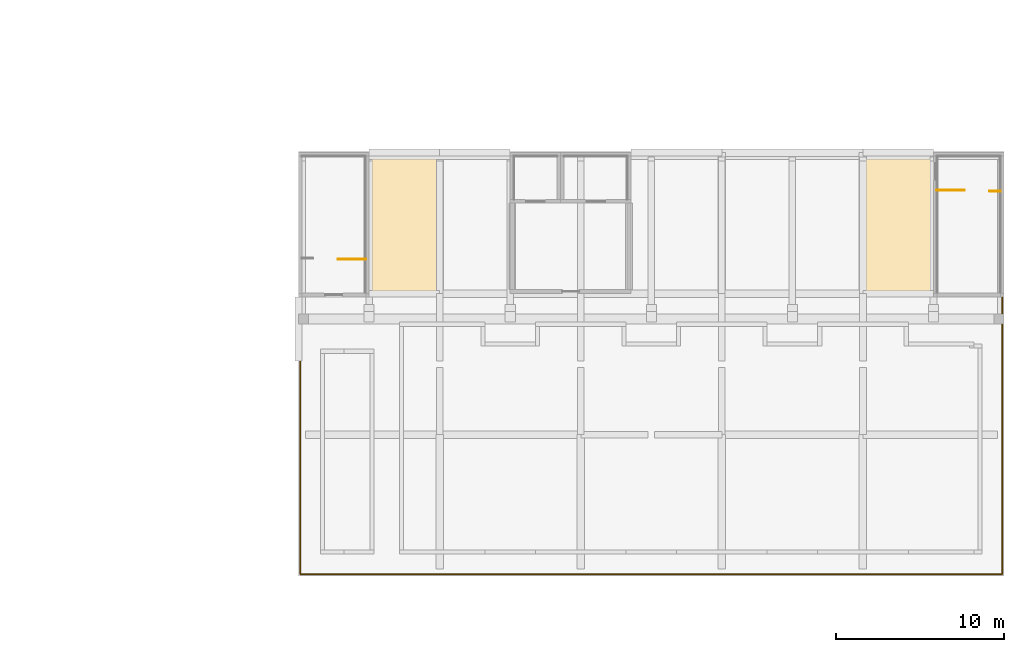
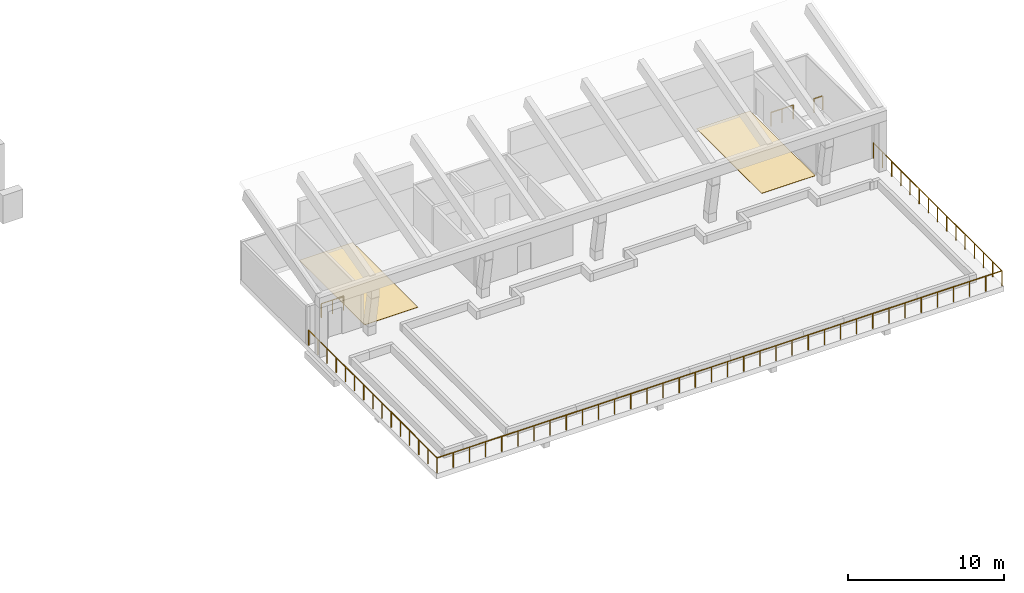
# One storey, part 67 of 67: 4 railings, 2 coverings.
"""IFC4 building model written with IfcOpenShell, lengths in metres."""

from ifc_helpers import new_model, si_unit, direction, frame, origin, origin_2d, place, context, subcontext, project, spatial, polyline, circle, outline, extrude, material, layer, layer_set, type_object, element, save


model = new_model("IFC4")

# Units and contexts
model_context = context("Model", 3, precision=1e-05, world=origin(), true_north=direction((0.0, 1.0)))
body_context = subcontext(model_context, "Body", "Model", "MODEL_VIEW")
ifc_project = project(units=[si_unit("LENGTHUNIT", "METRE"), si_unit("AREAUNIT", "SQUARE_METRE"), si_unit("VOLUMEUNIT", "CUBIC_METRE"), si_unit("PLANEANGLEUNIT", "RADIAN"), si_unit("MASSUNIT", "GRAM", prefix="KILO")], contexts=[model_context])

# Site, building, storey
site_placement = place(None, origin())
site = spatial("IfcSite", under=ifc_project, at=site_placement, CompositionType="ELEMENT")
building_placement = place(site_placement, origin())
building = spatial("IfcBuilding", under=site, at=building_placement, Name="Kiln Court Media Centre", CompositionType="ELEMENT")
storey_placement = place(building_placement, frame((0.0, 0.0, 19.800048828125)))
storey = spatial("IfcBuildingStorey", under=building, at=storey_placement, Name="L04", CompositionType="ELEMENT", Elevation=19.800048828125)

# Coverings
ifc_material_1 = material(Name="Terrazzo")
ifc_layer = layer(ifc_material_1, 0.02490234375)
ifc_layer_set = layer_set([ifc_layer], Name="Polished terrazzo floor finish 25")
covering_type = type_object("IfcCoveringType", Name="Polished terrazzo floor finish 25", PredefinedType="FLOORING", material=ifc_layer_set)
covering_1_placement = place(storey_placement, origin())
element("IfcCovering", 1, at=covering_1_placement, inside=storey, type_object=covering_type, Name="Roof Garden Lobby floor finish", PredefinedType="FLOORING", context=body_context, shape_type="SweptSolid", body=[
    extrude(outline(polyline([(130.320068359375, 16.719970703125), (134.280029296875, 16.719970703125), (134.280029296875, 25.080078125), (130.320068359375, 25.080078125), (130.320068359375, 16.719970703125)])), origin(), (0.0, 0.0, 1.0), 0.02490234375),
])
covering_2_placement = place(storey_placement, origin())
element("IfcCovering", 2, at=covering_2_placement, inside=storey, type_object=covering_type, Name="Roof Garden Lobby floor finish", PredefinedType="FLOORING", context=body_context, shape_type="SweptSolid", body=[
    extrude(outline(polyline([(159.719970703125, 16.719970703125), (163.679931640625, 16.719970703125), (163.679931640625, 25.080078125), (159.719970703125, 25.080078125), (159.719970703125, 16.719970703125)])), origin(), (0.0, 0.0, 1.0), 0.02490234375),
])

# Railings
ifc_material_2 = material(Name="Steel S275", Category="steel")
railing_type_1 = type_object("IfcRailingType", Name="Steel S275 stair guard 1100", PredefinedType="GUARDRAIL", material=ifc_material_2)
railing_1_placement = place(storey_placement, frame((130.0, 18.85009765625, 0.0)))
element("IfcRailing", 3, at=railing_1_placement, inside=storey, type_object=railing_type_1, Name="ST-16 top floor guard", PredefinedType="GUARDRAIL", context=body_context, shape_type="SweptSolid", body=[
    extrude(circle(Radius=0.02392578125, at=origin_2d()), frame((0.0, 0.0, 1.076171875), z_axis=(-1.0, 0.0, 0.0), x_axis=(0.0, -1.0, 0.0)), (0.0, 0.0, 1.0), 1.64990234375),
    extrude(circle(Radius=0.02099609375, at=origin_2d()), origin(), (0.0, 0.0, 1.0), 1.052001953125),
    extrude(circle(Radius=0.02099609375, at=origin_2d()), frame((-0.824951171875, 0.0, 0.0)), (0.0, 0.0, 1.0), 1.052001953125),
    extrude(circle(Radius=0.02099609375, at=origin_2d()), frame((-1.64990234375, 0.0, 0.0)), (0.0, 0.0, 1.0), 1.052001953125),
])
railing_2_placement = place(storey_placement, frame((167.14990234375, 22.89990234375, 0.0)))
element("IfcRailing", 4, at=railing_2_placement, inside=storey, type_object=railing_type_1, Name="ST-17 landing edge guard", PredefinedType="GUARDRAIL", context=body_context, shape_type="SweptSolid", body=[
    extrude(circle(Radius=0.02392578125, at=origin_2d()), frame((0.0, 0.0, 1.076171875), z_axis=(1.0, 0.0, 0.0), x_axis=(0.0, 1.0, 0.0)), (0.0, 0.0, 1.0), 0.650146484375),
    extrude(circle(Radius=0.02099609375, at=origin_2d()), origin(), (0.0, 0.0, 1.0), 1.052001953125),
    extrude(circle(Radius=0.02099609375, at=origin_2d()), frame((0.650146484375, 0.0, 0.0)), (0.0, 0.0, 1.0), 1.052001953125),
])
railing_3_placement = place(storey_placement, frame((164.0, 22.949951171875, 0.0)))
element("IfcRailing", 5, at=railing_3_placement, inside=storey, type_object=railing_type_1, Name="ST-17 top floor guard", PredefinedType="GUARDRAIL", context=body_context, shape_type="SweptSolid", body=[
    extrude(circle(Radius=0.02392578125, at=origin_2d()), frame((0.0, 0.0, 1.076171875), z_axis=(1.0, 0.0, 0.0), x_axis=(0.0, 1.0, 0.0)), (0.0, 0.0, 1.0), 1.64990234375),
    extrude(circle(Radius=0.02099609375, at=origin_2d()), origin(), (0.0, 0.0, 1.0), 1.052001953125),
    extrude(circle(Radius=0.02099609375, at=origin_2d()), frame((0.824951171875, 0.0, 0.0)), (0.0, 0.0, 1.0), 1.052001953125),
    extrude(circle(Radius=0.02099609375, at=origin_2d()), frame((1.64990234375, 0.0, 0.0)), (0.0, 0.0, 1.0), 1.052001953125),
])
ifc_material_3 = material(Name="Steel ASTM A572 Gr 50", Category="steel")
railing_type_2 = type_object("IfcRailingType", Name="Steel roof garden guard rail 1200", PredefinedType="GUARDRAIL", material=ifc_material_3)
railing_4_placement = place(storey_placement, frame((126.10009765625, 16.570068359375, 0.0)))
element("IfcRailing", 6, at=railing_4_placement, inside=storey, type_object=railing_type_2, Name="Roof garden guard 1", PredefinedType="GUARDRAIL", context=body_context, shape_type="SweptSolid", body=[
    extrude(circle(Radius=0.02392578125, at=origin_2d()), frame((0.0, 0.0, 1.17578125), z_axis=(0.0, -1.0, 0.0), x_axis=(1.0, 0.0, 0.0)), (0.0, 0.0, 1.0), 16.469970703125),
    extrude(circle(Radius=0.02392578125, at=origin_2d()), frame((0.0, -16.469970703125, 1.17578125), z_axis=(1.0, 0.0, 0.0), x_axis=(0.0, 1.0, 0.0)), (0.0, 0.0, 1.0), 41.7998046875),
    extrude(circle(Radius=0.02392578125, at=origin_2d()), frame((41.7998046875, -16.469970703125, 1.17578125), z_axis=(0.0, 1.0, 0.0), x_axis=(-1.0, 0.0, 0.0)), (0.0, 0.0, 1.0), 16.469970703125),
    extrude(circle(Radius=0.02099609375, at=origin_2d()), origin(), (0.0, 0.0, 1.0), 1.15185546875),
    extrude(circle(Radius=0.02099609375, at=origin_2d()), frame((0.0, -1.176513671875, 0.0)), (0.0, 0.0, 1.0), 1.15185546875),
    extrude(circle(Radius=0.02099609375, at=origin_2d()), frame((0.0, -2.352783203125, 0.0)), (0.0, 0.0, 1.0), 1.15185546875),
    extrude(circle(Radius=0.02099609375, at=origin_2d()), frame((0.0, -3.529296875, 0.0)), (0.0, 0.0, 1.0), 1.15185546875),
    extrude(circle(Radius=0.02099609375, at=origin_2d()), frame((0.0, -4.705810546875, 0.0)), (0.0, 0.0, 1.0), 1.15185546875),
    extrude(circle(Radius=0.02099609375, at=origin_2d()), frame((0.0, -5.882080078125, 0.0)), (0.0, 0.0, 1.0), 1.15185546875),
    extrude(circle(Radius=0.02099609375, at=origin_2d()), frame((0.0, -7.05859375, 0.0)), (0.0, 0.0, 1.0), 1.15185546875),
    extrude(circle(Radius=0.02099609375, at=origin_2d()), frame((0.0, -8.23486328125, 0.0)), (0.0, 0.0, 1.0), 1.15185546875),
    extrude(circle(Radius=0.02099609375, at=origin_2d()), frame((0.0, -9.411376953125, 0.0)), (0.0, 0.0, 1.0), 1.15185546875),
    extrude(circle(Radius=0.02099609375, at=origin_2d()), frame((0.0, -10.587890625, 0.0)), (0.0, 0.0, 1.0), 1.15185546875),
    extrude(circle(Radius=0.02099609375, at=origin_2d()), frame((0.0, -11.76416015625, 0.0)), (0.0, 0.0, 1.0), 1.15185546875),
    extrude(circle(Radius=0.02099609375, at=origin_2d()), frame((0.0, -12.940673828125, 0.0)), (0.0, 0.0, 1.0), 1.15185546875),
    extrude(circle(Radius=0.02099609375, at=origin_2d()), frame((0.0, -14.1171875, 0.0)), (0.0, 0.0, 1.0), 1.15185546875),
    extrude(circle(Radius=0.02099609375, at=origin_2d()), frame((0.0, -15.29345703125, 0.0)), (0.0, 0.0, 1.0), 1.15185546875),
    extrude(circle(Radius=0.02099609375, at=origin_2d()), frame((0.0, -16.469970703125, 0.0)), (0.0, 0.0, 1.0), 1.15185546875),
    extrude(circle(Radius=0.02099609375, at=origin_2d()), frame((1.1943359375, -16.469970703125, 0.0)), (0.0, 0.0, 1.0), 1.15185546875),
    extrude(circle(Radius=0.02099609375, at=origin_2d()), frame((2.388671875, -16.469970703125, 0.0)), (0.0, 0.0, 1.0), 1.15185546875),
    extrude(circle(Radius=0.02099609375, at=origin_2d()), frame((3.582763671875, -16.469970703125, 0.0)), (0.0, 0.0, 1.0), 1.15185546875),
    extrude(circle(Radius=0.02099609375, at=origin_2d()), frame((4.777099609375, -16.469970703125, 0.0)), (0.0, 0.0, 1.0), 1.15185546875),
    extrude(circle(Radius=0.02099609375, at=origin_2d()), frame((5.971435546875, -16.469970703125, 0.0)), (0.0, 0.0, 1.0), 1.15185546875),
    extrude(circle(Radius=0.02099609375, at=origin_2d()), frame((7.165771484375, -16.469970703125, 0.0)), (0.0, 0.0, 1.0), 1.15185546875),
    extrude(circle(Radius=0.02099609375, at=origin_2d()), frame((8.35986328125, -16.469970703125, 0.0)), (0.0, 0.0, 1.0), 1.15185546875),
    extrude(circle(Radius=0.02099609375, at=origin_2d()), frame((9.55419921875, -16.469970703125, 0.0)), (0.0, 0.0, 1.0), 1.15185546875),
    extrude(circle(Radius=0.02099609375, at=origin_2d()), frame((10.74853515625, -16.469970703125, 0.0)), (0.0, 0.0, 1.0), 1.15185546875),
    extrude(circle(Radius=0.02099609375, at=origin_2d()), frame((11.94287109375, -16.469970703125, 0.0)), (0.0, 0.0, 1.0), 1.15185546875),
    extrude(circle(Radius=0.02099609375, at=origin_2d()), frame((13.136962890625, -16.469970703125, 0.0)), (0.0, 0.0, 1.0), 1.15185546875),
    extrude(circle(Radius=0.02099609375, at=origin_2d()), frame((14.331298828125, -16.469970703125, 0.0)), (0.0, 0.0, 1.0), 1.15185546875),
    extrude(circle(Radius=0.02099609375, at=origin_2d()), frame((15.525634765625, -16.469970703125, 0.0)), (0.0, 0.0, 1.0), 1.15185546875),
    extrude(circle(Radius=0.02099609375, at=origin_2d()), frame((16.719970703125, -16.469970703125, 0.0)), (0.0, 0.0, 1.0), 1.15185546875),
    extrude(circle(Radius=0.02099609375, at=origin_2d()), frame((17.914306640625, -16.469970703125, 0.0)), (0.0, 0.0, 1.0), 1.15185546875),
    extrude(circle(Radius=0.02099609375, at=origin_2d()), frame((19.1083984375, -16.469970703125, 0.0)), (0.0, 0.0, 1.0), 1.15185546875),
    extrude(circle(Radius=0.02099609375, at=origin_2d()), frame((20.302734375, -16.469970703125, 0.0)), (0.0, 0.0, 1.0), 1.15185546875),
    extrude(circle(Radius=0.02099609375, at=origin_2d()), frame((21.4970703125, -16.469970703125, 0.0)), (0.0, 0.0, 1.0), 1.15185546875),
    extrude(circle(Radius=0.02099609375, at=origin_2d()), frame((22.69140625, -16.469970703125, 0.0)), (0.0, 0.0, 1.0), 1.15185546875),
    extrude(circle(Radius=0.02099609375, at=origin_2d()), frame((23.885498046875, -16.469970703125, 0.0)), (0.0, 0.0, 1.0), 1.15185546875),
    extrude(circle(Radius=0.02099609375, at=origin_2d()), frame((25.079833984375, -16.469970703125, 0.0)), (0.0, 0.0, 1.0), 1.15185546875),
    extrude(circle(Radius=0.02099609375, at=origin_2d()), frame((26.274169921875, -16.469970703125, 0.0)), (0.0, 0.0, 1.0), 1.15185546875),
    extrude(circle(Radius=0.02099609375, at=origin_2d()), frame((27.468505859375, -16.469970703125, 0.0)), (0.0, 0.0, 1.0), 1.15185546875),
    extrude(circle(Radius=0.02099609375, at=origin_2d()), frame((28.662841796875, -16.469970703125, 0.0)), (0.0, 0.0, 1.0), 1.15185546875),
    extrude(circle(Radius=0.02099609375, at=origin_2d()), frame((29.85693359375, -16.469970703125, 0.0)), (0.0, 0.0, 1.0), 1.15185546875),
    extrude(circle(Radius=0.02099609375, at=origin_2d()), frame((31.05126953125, -16.469970703125, 0.0)), (0.0, 0.0, 1.0), 1.15185546875),
    extrude(circle(Radius=0.02099609375, at=origin_2d()), frame((32.24560546875, -16.469970703125, 0.0)), (0.0, 0.0, 1.0), 1.15185546875),
    extrude(circle(Radius=0.02099609375, at=origin_2d()), frame((33.43994140625, -16.469970703125, 0.0)), (0.0, 0.0, 1.0), 1.15185546875),
    extrude(circle(Radius=0.02099609375, at=origin_2d()), frame((34.634033203125, -16.469970703125, 0.0)), (0.0, 0.0, 1.0), 1.15185546875),
    extrude(circle(Radius=0.02099609375, at=origin_2d()), frame((35.828369140625, -16.469970703125, 0.0)), (0.0, 0.0, 1.0), 1.15185546875),
    extrude(circle(Radius=0.02099609375, at=origin_2d()), frame((37.022705078125, -16.469970703125, 0.0)), (0.0, 0.0, 1.0), 1.15185546875),
    extrude(circle(Radius=0.02099609375, at=origin_2d()), frame((38.217041015625, -16.469970703125, 0.0)), (0.0, 0.0, 1.0), 1.15185546875),
    extrude(circle(Radius=0.02099609375, at=origin_2d()), frame((39.4111328125, -16.469970703125, 0.0)), (0.0, 0.0, 1.0), 1.15185546875),
    extrude(circle(Radius=0.02099609375, at=origin_2d()), frame((40.60546875, -16.469970703125, 0.0)), (0.0, 0.0, 1.0), 1.15185546875),
    extrude(circle(Radius=0.02099609375, at=origin_2d()), frame((41.7998046875, -16.469970703125, 0.0)), (0.0, 0.0, 1.0), 1.15185546875),
    extrude(circle(Radius=0.02099609375, at=origin_2d()), frame((41.7998046875, -15.29345703125, 0.0)), (0.0, 0.0, 1.0), 1.15185546875),
    extrude(circle(Radius=0.02099609375, at=origin_2d()), frame((41.7998046875, -14.1171875, 0.0)), (0.0, 0.0, 1.0), 1.15185546875),
    extrude(circle(Radius=0.02099609375, at=origin_2d()), frame((41.7998046875, -12.940673828125, 0.0)), (0.0, 0.0, 1.0), 1.15185546875),
    extrude(circle(Radius=0.02099609375, at=origin_2d()), frame((41.7998046875, -11.76416015625, 0.0)), (0.0, 0.0, 1.0), 1.15185546875),
    extrude(circle(Radius=0.02099609375, at=origin_2d()), frame((41.7998046875, -10.587890625, 0.0)), (0.0, 0.0, 1.0), 1.15185546875),
    extrude(circle(Radius=0.02099609375, at=origin_2d()), frame((41.7998046875, -9.411376953125, 0.0)), (0.0, 0.0, 1.0), 1.15185546875),
    extrude(circle(Radius=0.02099609375, at=origin_2d()), frame((41.7998046875, -8.23486328125, 0.0)), (0.0, 0.0, 1.0), 1.15185546875),
    extrude(circle(Radius=0.02099609375, at=origin_2d()), frame((41.7998046875, -7.05859375, 0.0)), (0.0, 0.0, 1.0), 1.15185546875),
    extrude(circle(Radius=0.02099609375, at=origin_2d()), frame((41.7998046875, -5.882080078125, 0.0)), (0.0, 0.0, 1.0), 1.15185546875),
    extrude(circle(Radius=0.02099609375, at=origin_2d()), frame((41.7998046875, -4.705810546875, 0.0)), (0.0, 0.0, 1.0), 1.15185546875),
    extrude(circle(Radius=0.02099609375, at=origin_2d()), frame((41.7998046875, -3.529296875, 0.0)), (0.0, 0.0, 1.0), 1.15185546875),
    extrude(circle(Radius=0.02099609375, at=origin_2d()), frame((41.7998046875, -2.352783203125, 0.0)), (0.0, 0.0, 1.0), 1.15185546875),
    extrude(circle(Radius=0.02099609375, at=origin_2d()), frame((41.7998046875, -1.176513671875, 0.0)), (0.0, 0.0, 1.0), 1.15185546875),
    extrude(circle(Radius=0.02099609375, at=origin_2d()), frame((41.7998046875, 0.0, 0.0)), (0.0, 0.0, 1.0), 1.15185546875),
])

save(model, "model.ifc")
